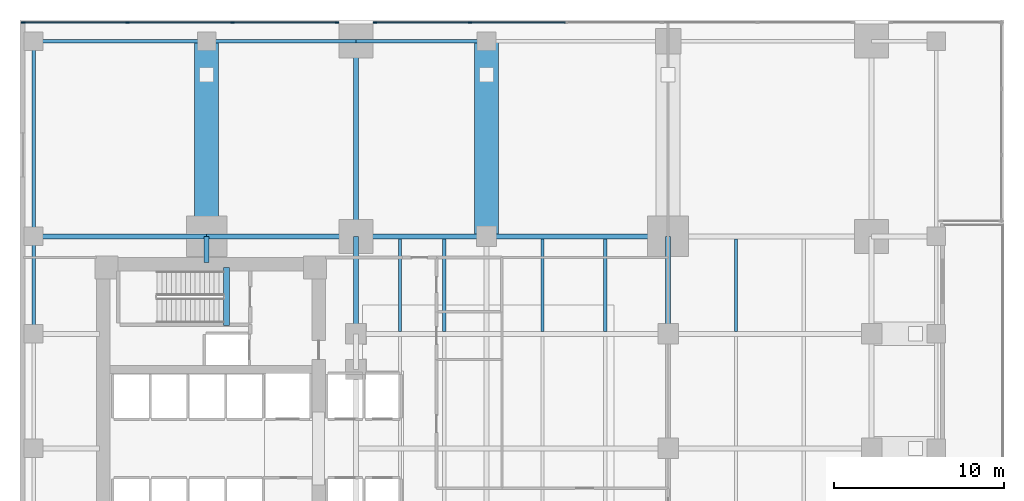
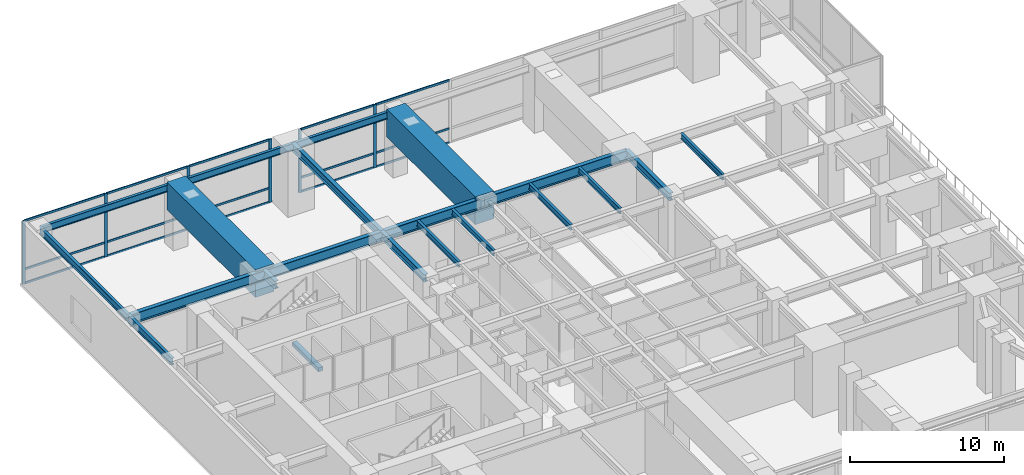
# One storey, part 5 of 14: 21 beams, 21 members, 2 elements without a shape of their own.
"""IFC4 building model written with IfcOpenShell, lengths in metres."""

from ifc_helpers import new_model, si_unit, direction, frame, origin, origin_2d, place, context, subcontext, project, spatial, rectangle, i_section, extrude, material, layer, layer_set, material_profile, profile_set, type_object, element, aggregate, save


model = new_model("IFC4")

# Units and contexts
model_context = context("Model", 3, precision=1e-05, world=origin(), true_north=direction((0.0, 1.0)))
body_context = subcontext(model_context, "Body", "Model", "MODEL_VIEW")
ifc_project = project(units=[si_unit("LENGTHUNIT", "METRE"), si_unit("AREAUNIT", "SQUARE_METRE"), si_unit("VOLUMEUNIT", "CUBIC_METRE"), si_unit("PLANEANGLEUNIT", "RADIAN"), si_unit("MASSUNIT", "GRAM", prefix="KILO")], contexts=[model_context])

# Site, building, storey
site_placement = place(None, origin())
site = spatial("IfcSite", under=ifc_project, at=site_placement, CompositionType="ELEMENT")
building_placement = place(site_placement, origin())
building = spatial("IfcBuilding", under=site, at=building_placement, Name="Kinhvarn Gate Tower", CompositionType="ELEMENT")
storey_placement = place(building_placement, frame((0.0, 0.0, 20.39990234375)))
storey = spatial("IfcBuildingStorey", under=building, at=storey_placement, Name="L04", CompositionType="ELEMENT", Elevation=20.39990234375)

# Beams
ifc_material_1 = material(Name="Concrete C50/60", Category="concrete")
ifc_material_profile_1 = material_profile(ifc_material_1, rectangle(XDim=0.340087890625, YDim=0.320068359375, at=origin_2d()), Name="RC 340x320")
ifc_profile_set_1 = profile_set([ifc_material_profile_1], Name="Concrete C50/60")
beam_type_1 = type_object("IfcBeamType", Name="BM-LND-500", PredefinedType="BEAM", material=ifc_profile_set_1)
beam_1_placement = place(storey_placement, frame((12.1650390625, 32.5, -0.159912109375), z_axis=(0.0, 1.0, 0.0), x_axis=(-1.0, 0.0, 0.0)))
element("IfcBeam", 1, at=beam_1_placement, inside=storey, type_object=beam_type_1, Name="Stair ST2 Landing Nosing Beam (L04)", PredefinedType="BEAM", context=body_context, shape_type="SweptSolid", body=[
    extrude(rectangle(XDim=0.340087890625, YDim=0.320068359375, at=origin_2d()), origin(), (0.0, 0.0, 1.0), 3.39990234375),
])
ifc_material_2 = material(Name="Concrete C60/75", Category="concrete")
ifc_material_profile_2 = material_profile(ifc_material_2, rectangle(XDim=1.39990234375, YDim=2.199951171875, at=origin_2d()), Name="RC 1400x2200")
ifc_profile_set_2 = profile_set([ifc_material_profile_2], Name="Concrete C60/75")
beam_type_2 = type_object("IfcBeamType", Name="BM-TG-2200", PredefinedType="BEAM", material=ifc_profile_set_2)
for number, where, z_axis, x_axis, name in (
    (2, (11.0, 37.75, 4.10009765625), (0.0, 1.0, 0.0), (-1.0, 0.0, 0.0), "Setback Transfer Girder TG-02-L05-CN-0"),
    (3, (27.5, 37.75, 4.10009765625), (0.0, 1.0, 0.0), (-1.0, 0.0, 0.0), "Setback Transfer Girder TG-02-L05-CN-1"),
):
    element("IfcBeam", number, at=place(storey_placement, frame(where, z_axis=z_axis, x_axis=x_axis)), inside=storey, type_object=beam_type_2, Name=name, PredefinedType="BEAM", context=body_context, shape_type="SweptSolid", body=[
        extrude(rectangle(XDim=1.39990234375, YDim=2.199951171875, at=origin_2d()), origin(), (0.0, 0.0, 1.0), 11.5),
    ])

# Curtain wall, members
ifc_material_3 = material(Name="Anodised aluminium AW-6063", Category="aluminium")
ifc_layer = layer(ifc_material_3, 0.219970703125)
ifc_layer_set = layer_set([ifc_layer], Name="Anodised aluminium AW-6063")
curtain_wall_type = type_object("IfcCurtainWallType", Name="CW-SYS-1", PredefinedType="NOTDEFINED", material=ifc_layer_set)
curtain_wall_1_placement = place(storey_placement, origin())
curtain_wall_1 = element("IfcCurtainWall", 4, at=curtain_wall_1_placement, inside=storey, type_object=curtain_wall_type, Name="Curtain Wall CW1 (L04)", PredefinedType="NOTDEFINED")
ifc_material_profile_3 = material_profile(ifc_material_3, rectangle(XDim=0.080078125, YDim=0.219970703125, at=origin_2d()), Name="ALU 80x220")
ifc_profile_set_3 = profile_set([ifc_material_profile_3], Name="Anodised aluminium AW-6063")
member_type_1 = type_object("IfcMemberType", Name="CW-MUL-220", PredefinedType="MULLION", material=ifc_profile_set_3)
member_1_placement = place(storey_placement, frame((26.528076171875, 50.35009765625, 0.0), z_axis=(0.0, 0.0, 1.0), x_axis=(0.0, -1.0, 0.0)))
member_1 = element("IfcMember", 5, at=member_1_placement, type_object=member_type_1, Name="CW1 mullion 5", PredefinedType="MULLION", context=body_context, shape_type="SweptSolid", body=[
    extrude(rectangle(XDim=0.080078125, YDim=0.219970703125, at=origin_2d()), origin(), (0.0, 0.0, 1.0), 5.02001953125),
])
member_2_placement = place(storey_placement, frame((20.919921875, 50.35009765625, 0.0), z_axis=(0.0, 0.0, 1.0), x_axis=(0.0, -1.0, 0.0)))
member_2 = element("IfcMember", 6, at=member_2_placement, type_object=member_type_1, Name="CW1 mullion 6", PredefinedType="MULLION", context=body_context, shape_type="SweptSolid", body=[
    extrude(rectangle(XDim=0.080078125, YDim=0.219970703125, at=origin_2d()), origin(), (0.0, 0.0, 1.0), 5.02001953125),
])

curtain_wall_2_placement = place(storey_placement, origin())
curtain_wall_2 = element("IfcCurtainWall", 7, at=curtain_wall_2_placement, inside=storey, type_object=curtain_wall_type, Name="Curtain Wall CW1 (L04)", PredefinedType="NOTDEFINED")
member_3_placement = place(storey_placement, frame((18.679931640625, 50.35009765625, 0.0), z_axis=(0.0, 0.0, 1.0), x_axis=(0.0, -1.0, 0.0)))
member_3 = element("IfcMember", 8, at=member_3_placement, type_object=member_type_1, Name="CW1 mullion 1", PredefinedType="MULLION", context=body_context, shape_type="SweptSolid", body=[
    extrude(rectangle(XDim=0.080078125, YDim=0.219970703125, at=origin_2d()), origin(), (0.0, 0.0, 1.0), 5.02001953125),
])
member_4_placement = place(storey_placement, frame((12.530029296875, 50.35009765625, 0.0), z_axis=(0.0, 0.0, 1.0), x_axis=(0.0, -1.0, 0.0)))
member_4 = element("IfcMember", 9, at=member_4_placement, type_object=member_type_1, Name="CW1 mullion 2", PredefinedType="MULLION", context=body_context, shape_type="SweptSolid", body=[
    extrude(rectangle(XDim=0.080078125, YDim=0.219970703125, at=origin_2d()), origin(), (0.0, 0.0, 1.0), 5.02001953125),
])
member_5_placement = place(storey_placement, frame((6.340087890625, 50.35009765625, 0.0), z_axis=(0.0, 0.0, 1.0), x_axis=(0.0, -1.0, 0.0)))
member_5 = element("IfcMember", 10, at=member_5_placement, type_object=member_type_1, Name="CW1 mullion 3", PredefinedType="MULLION", context=body_context, shape_type="SweptSolid", body=[
    extrude(rectangle(XDim=0.080078125, YDim=0.219970703125, at=origin_2d()), origin(), (0.0, 0.0, 1.0), 5.02001953125),
])
member_6_placement = place(storey_placement, frame((0.18994140625, 50.35009765625, 0.0), z_axis=(0.0, 0.0, 1.0), x_axis=(0.0, -1.0, 0.0)))
member_6 = element("IfcMember", 11, at=member_6_placement, type_object=member_type_1, Name="CW1 mullion 4", PredefinedType="MULLION", context=body_context, shape_type="SweptSolid", body=[
    extrude(rectangle(XDim=0.080078125, YDim=0.219970703125, at=origin_2d()), origin(), (0.0, 0.0, 1.0), 5.02001953125),
])

# Member
ifc_material_profile_4 = material_profile(ifc_material_3, rectangle(XDim=0.080078125, YDim=0.159912109375, at=origin_2d()), Name="ALU 80x160")
ifc_profile_set_4 = profile_set([ifc_material_profile_4], Name="Anodised aluminium AW-6063")
member_type_2 = type_object("IfcMemberType", Name="CW-TRN-160", PredefinedType="USERDEFINED", material=ifc_profile_set_4)
member_7_placement = place(storey_placement, frame((32.135986328125, 50.35009765625, 0.0400390625), z_axis=(-1.0, 0.0, 0.0), x_axis=(0.0, -1.0, 0.0)))
member_7 = element("IfcMember", 12, at=member_7_placement, type_object=member_type_2, Name="CW1 transom 4.1", ObjectType="TRANSOM", PredefinedType="USERDEFINED", context=body_context, shape_type="SweptSolid", body=[
    extrude(rectangle(XDim=0.080078125, YDim=0.159912109375, at=origin_2d()), origin(), (0.0, 0.0, 1.0), 5.56787109375),
])

member_8_placement = place(storey_placement, frame((32.135986328125, 50.35009765625, 1.150146484375), z_axis=(-1.0, 0.0, 0.0), x_axis=(0.0, -1.0, 0.0)))
member_8 = element("IfcMember", 13, at=member_8_placement, type_object=member_type_2, Name="CW1 transom 4.2", ObjectType="TRANSOM", PredefinedType="USERDEFINED", context=body_context, shape_type="SweptSolid", body=[
    extrude(rectangle(XDim=0.080078125, YDim=0.159912109375, at=origin_2d()), origin(), (0.0, 0.0, 1.0), 5.56787109375),
])

member_9_placement = place(storey_placement, frame((32.135986328125, 50.35009765625, 4.97998046875), z_axis=(-1.0, 0.0, 0.0), x_axis=(0.0, -1.0, 0.0)))
member_9 = element("IfcMember", 14, at=member_9_placement, type_object=member_type_2, Name="CW1 transom 4.3", ObjectType="TRANSOM", PredefinedType="USERDEFINED", context=body_context, shape_type="SweptSolid", body=[
    extrude(rectangle(XDim=0.080078125, YDim=0.159912109375, at=origin_2d()), origin(), (0.0, 0.0, 1.0), 5.56787109375),
])

member_10_placement = place(storey_placement, frame((26.488037109375, 50.35009765625, 0.0400390625), z_axis=(-1.0, 0.0, 0.0), x_axis=(0.0, -1.0, 0.0)))
member_10 = element("IfcMember", 15, at=member_10_placement, type_object=member_type_2, Name="CW1 transom 5.1", ObjectType="TRANSOM", PredefinedType="USERDEFINED", context=body_context, shape_type="SweptSolid", body=[
    extrude(rectangle(XDim=0.080078125, YDim=0.159912109375, at=origin_2d()), origin(), (0.0, 0.0, 1.0), 5.528076171875),
])

member_11_placement = place(storey_placement, frame((26.488037109375, 50.35009765625, 1.150146484375), z_axis=(-1.0, 0.0, 0.0), x_axis=(0.0, -1.0, 0.0)))
member_11 = element("IfcMember", 16, at=member_11_placement, type_object=member_type_2, Name="CW1 transom 5.2", ObjectType="TRANSOM", PredefinedType="USERDEFINED", context=body_context, shape_type="SweptSolid", body=[
    extrude(rectangle(XDim=0.080078125, YDim=0.159912109375, at=origin_2d()), origin(), (0.0, 0.0, 1.0), 5.528076171875),
])

member_12_placement = place(storey_placement, frame((26.488037109375, 50.35009765625, 4.97998046875), z_axis=(-1.0, 0.0, 0.0), x_axis=(0.0, -1.0, 0.0)))
member_12 = element("IfcMember", 17, at=member_12_placement, type_object=member_type_2, Name="CW1 transom 5.3", ObjectType="TRANSOM", PredefinedType="USERDEFINED", context=body_context, shape_type="SweptSolid", body=[
    extrude(rectangle(XDim=0.080078125, YDim=0.159912109375, at=origin_2d()), origin(), (0.0, 0.0, 1.0), 5.528076171875),
])

aggregate(curtain_wall_1, [member_1, member_2, member_7, member_8, member_9, member_10, member_11, member_12])

member_13_placement = place(storey_placement, frame((18.639892578125, 50.35009765625, 0.0400390625), z_axis=(-1.0, 0.0, 0.0), x_axis=(0.0, -1.0, 0.0)))
member_13 = element("IfcMember", 18, at=member_13_placement, type_object=member_type_2, Name="CW1 transom 1.1", ObjectType="TRANSOM", PredefinedType="USERDEFINED", context=body_context, shape_type="SweptSolid", body=[
    extrude(rectangle(XDim=0.080078125, YDim=0.159912109375, at=origin_2d()), origin(), (0.0, 0.0, 1.0), 6.06982421875),
])

member_14_placement = place(storey_placement, frame((18.639892578125, 50.35009765625, 1.150146484375), z_axis=(-1.0, 0.0, 0.0), x_axis=(0.0, -1.0, 0.0)))
member_14 = element("IfcMember", 19, at=member_14_placement, type_object=member_type_2, Name="CW1 transom 1.2", ObjectType="TRANSOM", PredefinedType="USERDEFINED", context=body_context, shape_type="SweptSolid", body=[
    extrude(rectangle(XDim=0.080078125, YDim=0.159912109375, at=origin_2d()), origin(), (0.0, 0.0, 1.0), 6.06982421875),
])

member_15_placement = place(storey_placement, frame((18.639892578125, 50.35009765625, 4.97998046875), z_axis=(-1.0, 0.0, 0.0), x_axis=(0.0, -1.0, 0.0)))
member_15 = element("IfcMember", 20, at=member_15_placement, type_object=member_type_2, Name="CW1 transom 1.3", ObjectType="TRANSOM", PredefinedType="USERDEFINED", context=body_context, shape_type="SweptSolid", body=[
    extrude(rectangle(XDim=0.080078125, YDim=0.159912109375, at=origin_2d()), origin(), (0.0, 0.0, 1.0), 6.06982421875),
])

member_16_placement = place(storey_placement, frame((12.489990234375, 50.35009765625, 0.0400390625), z_axis=(-1.0, 0.0, 0.0), x_axis=(0.0, -1.0, 0.0)))
member_16 = element("IfcMember", 21, at=member_16_placement, type_object=member_type_2, Name="CW1 transom 2.1", ObjectType="TRANSOM", PredefinedType="USERDEFINED", context=body_context, shape_type="SweptSolid", body=[
    extrude(rectangle(XDim=0.080078125, YDim=0.159912109375, at=origin_2d()), origin(), (0.0, 0.0, 1.0), 6.110107421875),
])

member_17_placement = place(storey_placement, frame((12.489990234375, 50.35009765625, 1.150146484375), z_axis=(-1.0, 0.0, 0.0), x_axis=(0.0, -1.0, 0.0)))
member_17 = element("IfcMember", 22, at=member_17_placement, type_object=member_type_2, Name="CW1 transom 2.2", ObjectType="TRANSOM", PredefinedType="USERDEFINED", context=body_context, shape_type="SweptSolid", body=[
    extrude(rectangle(XDim=0.080078125, YDim=0.159912109375, at=origin_2d()), origin(), (0.0, 0.0, 1.0), 6.110107421875),
])

member_18_placement = place(storey_placement, frame((12.489990234375, 50.35009765625, 4.97998046875), z_axis=(-1.0, 0.0, 0.0), x_axis=(0.0, -1.0, 0.0)))
member_18 = element("IfcMember", 23, at=member_18_placement, type_object=member_type_2, Name="CW1 transom 2.3", ObjectType="TRANSOM", PredefinedType="USERDEFINED", context=body_context, shape_type="SweptSolid", body=[
    extrude(rectangle(XDim=0.080078125, YDim=0.159912109375, at=origin_2d()), origin(), (0.0, 0.0, 1.0), 6.110107421875),
])

member_19_placement = place(storey_placement, frame((6.300048828125, 50.35009765625, 0.0400390625), z_axis=(-1.0, 0.0, 0.0), x_axis=(0.0, -1.0, 0.0)))
member_19 = element("IfcMember", 24, at=member_19_placement, type_object=member_type_2, Name="CW1 transom 3.1", ObjectType="TRANSOM", PredefinedType="USERDEFINED", context=body_context, shape_type="SweptSolid", body=[
    extrude(rectangle(XDim=0.080078125, YDim=0.159912109375, at=origin_2d()), origin(), (0.0, 0.0, 1.0), 6.070068359375),
])

member_20_placement = place(storey_placement, frame((6.300048828125, 50.35009765625, 1.150146484375), z_axis=(-1.0, 0.0, 0.0), x_axis=(0.0, -1.0, 0.0)))
member_20 = element("IfcMember", 25, at=member_20_placement, type_object=member_type_2, Name="CW1 transom 3.2", ObjectType="TRANSOM", PredefinedType="USERDEFINED", context=body_context, shape_type="SweptSolid", body=[
    extrude(rectangle(XDim=0.080078125, YDim=0.159912109375, at=origin_2d()), origin(), (0.0, 0.0, 1.0), 6.070068359375),
])

member_21_placement = place(storey_placement, frame((6.300048828125, 50.35009765625, 4.97998046875), z_axis=(-1.0, 0.0, 0.0), x_axis=(0.0, -1.0, 0.0)))
member_21 = element("IfcMember", 26, at=member_21_placement, type_object=member_type_2, Name="CW1 transom 3.3", ObjectType="TRANSOM", PredefinedType="USERDEFINED", context=body_context, shape_type="SweptSolid", body=[
    extrude(rectangle(XDim=0.080078125, YDim=0.159912109375, at=origin_2d()), origin(), (0.0, 0.0, 1.0), 6.070068359375),
])

aggregate(curtain_wall_2, [member_3, member_4, member_5, member_6, member_13, member_14, member_15, member_16, member_17, member_18, member_19, member_20, member_21])

# Beams
ifc_material_4 = material(Name="Steel S355", Category="steel")
ifc_material_profile_5 = material_profile(ifc_material_4, i_section(OverallWidth=0.300048828125, OverallDepth=0.60009765625, WebThickness=0.015380859375, FlangeThickness=0.030029296875, at=origin_2d()), Name="HEB 600")
ifc_profile_set_5 = profile_set([ifc_material_profile_5], Name="Steel S355")
beam_type_3 = type_object("IfcBeamType", Name="STL-HEB600", PredefinedType="BEAM", material=ifc_profile_set_5)
beam_2_placement = place(storey_placement, frame((11.0, 36.199951171875, 4.72021484375), z_axis=(0.0, 1.0, 0.0), x_axis=(-1.0, 0.0, 0.0)))
element("IfcBeam", 27, at=beam_2_placement, inside=storey, type_object=beam_type_3, Name="Floor Beam PG-16 (L04 NS11-CN)", PredefinedType="BEAM", context=body_context, shape_type="SweptSolid", body=[
    extrude(i_section(OverallWidth=0.300048828125, OverallDepth=0.60009765625, WebThickness=0.015380859375, FlangeThickness=0.030029296875, at=origin_2d()), origin(), (0.0, 0.0, 1.0), 1.550048828125),
])
beam_3_placement = place(storey_placement, frame((19.800048828125, 32.0, 4.72021484375), z_axis=(0.0, 1.0, 0.0), x_axis=(-1.0, 0.0, 0.0)))
element("IfcBeam", 28, at=beam_3_placement, inside=storey, type_object=beam_type_3, Name="Floor Beam PG-16 (L04 APW-6)", PredefinedType="BEAM", context=body_context, shape_type="SweptSolid", body=[
    extrude(i_section(OverallWidth=0.300048828125, OverallDepth=0.60009765625, WebThickness=0.015380859375, FlangeThickness=0.030029296875, at=origin_2d()), origin(), (0.0, 0.0, 1.0), 5.75),
])
beam_4_placement = place(storey_placement, frame((19.800048828125, 37.75, 4.72021484375), z_axis=(0.0, 1.0, 0.0), x_axis=(-1.0, 0.0, 0.0)))
element("IfcBeam", 29, at=beam_4_placement, inside=storey, type_object=beam_type_3, Name="Floor Beam PG-16 (L04 APW-7)", PredefinedType="BEAM", context=body_context, shape_type="SweptSolid", body=[
    extrude(i_section(OverallWidth=0.300048828125, OverallDepth=0.60009765625, WebThickness=0.015380859375, FlangeThickness=0.030029296875, at=origin_2d()), origin(), (0.0, 0.0, 1.0), 11.5),
])
beam_5_placement = place(storey_placement, frame((38.199951171875, 32.0, 4.72021484375), z_axis=(0.0, 1.0, 0.0), x_axis=(-1.0, 0.0, 0.0)))
element("IfcBeam", 30, at=beam_5_placement, inside=storey, type_object=beam_type_3, Name="Floor Beam PG-16 (L04 NS38-32)", PredefinedType="BEAM", context=body_context, shape_type="SweptSolid", body=[
    extrude(i_section(OverallWidth=0.300048828125, OverallDepth=0.60009765625, WebThickness=0.015380859375, FlangeThickness=0.030029296875, at=origin_2d()), origin(), (0.0, 0.0, 1.0), 5.75),
])
ifc_material_profile_6 = material_profile(ifc_material_4, i_section(OverallWidth=0.300048828125, OverallDepth=0.800048828125, WebThickness=0.017578125, FlangeThickness=0.032958984375, at=origin_2d()), Name="HEB 800")
ifc_profile_set_6 = profile_set([ifc_material_profile_6], Name="Steel S355")
beam_type_4 = type_object("IfcBeamType", Name="STL-HEB800", PredefinedType="BEAM", material=ifc_profile_set_6)
beam_6_placement = place(storey_placement, frame((0.800048828125, 37.75, 4.6201171875), z_axis=(1.0, 0.0, 0.0), x_axis=(0.0, 1.0, 0.0)))
element("IfcBeam", 31, at=beam_6_placement, inside=storey, type_object=beam_type_4, Name="Floor Beam PG-19 (L04 SPN-1)", PredefinedType="BEAM", context=body_context, shape_type="SweptSolid", body=[
    extrude(i_section(OverallWidth=0.300048828125, OverallDepth=0.800048828125, WebThickness=0.017578125, FlangeThickness=0.032958984375, at=origin_2d()), origin(), (0.0, 0.0, 1.0), 10.199951171875),
])
beam_7_placement = place(storey_placement, frame((11.0, 37.75, 4.6201171875), z_axis=(1.0, 0.0, 0.0), x_axis=(0.0, 1.0, 0.0)))
element("IfcBeam", 32, at=beam_7_placement, inside=storey, type_object=beam_type_4, Name="Floor Beam PG-19 (L04 SPN-2)", PredefinedType="BEAM", context=body_context, shape_type="SweptSolid", body=[
    extrude(i_section(OverallWidth=0.300048828125, OverallDepth=0.800048828125, WebThickness=0.017578125, FlangeThickness=0.032958984375, at=origin_2d()), origin(), (0.0, 0.0, 1.0), 8.800048828125),
])
beam_8_placement = place(storey_placement, frame((19.800048828125, 37.75, 4.6201171875), z_axis=(1.0, 0.0, 0.0), x_axis=(0.0, 1.0, 0.0)))
element("IfcBeam", 33, at=beam_8_placement, inside=storey, type_object=beam_type_4, Name="Floor Beam PG-19 (L04 BM-N1)", PredefinedType="BEAM", context=body_context, shape_type="SweptSolid", body=[
    extrude(i_section(OverallWidth=0.300048828125, OverallDepth=0.800048828125, WebThickness=0.017578125, FlangeThickness=0.032958984375, at=origin_2d()), origin(), (0.0, 0.0, 1.0), 7.699951171875),
])
beam_9_placement = place(storey_placement, frame((27.5, 37.75, 4.6201171875), z_axis=(1.0, 0.0, 0.0), x_axis=(0.0, 1.0, 0.0)))
element("IfcBeam", 34, at=beam_9_placement, inside=storey, type_object=beam_type_4, Name="Floor Beam PG-19 (L04 BM-N2)", PredefinedType="BEAM", context=body_context, shape_type="SweptSolid", body=[
    extrude(i_section(OverallWidth=0.300048828125, OverallDepth=0.800048828125, WebThickness=0.017578125, FlangeThickness=0.032958984375, at=origin_2d()), origin(), (0.0, 0.0, 1.0), 10.699951171875),
])
ifc_material_profile_7 = material_profile(ifc_material_4, i_section(OverallWidth=0.18994140625, OverallDepth=0.449951171875, WebThickness=0.009521484375, FlangeThickness=0.0146484375, at=origin_2d()), Name="IPE 450")
ifc_profile_set_7 = profile_set([ifc_material_profile_7], Name="Steel S355")
beam_type_5 = type_object("IfcBeamType", Name="STL-IPE450", PredefinedType="JOIST", material=ifc_profile_set_7)
for number, where, z_axis, x_axis, name in (
    (35, (22.39990234375, 32.14990234375, 4.795166015625), (0.0, 1.0, 0.0), (-1.0, 0.0, 0.0), "Floor Joist SB-06 (L04 J224-32)"),
    (36, (25.0, 32.14990234375, 4.795166015625), (0.0, 1.0, 0.0), (-1.0, 0.0, 0.0), "Floor Joist SB-06 (L04 J250-32)"),
    (37, (30.800048828125, 32.14990234375, 4.795166015625), (0.0, 1.0, 0.0), (-1.0, 0.0, 0.0), "Floor Joist SB-06 (L04 J308-32)"),
    (38, (34.5, 32.14990234375, 4.795166015625), (0.0, 1.0, 0.0), (-1.0, 0.0, 0.0), "Floor Joist SB-06 (L04 J345-32)"),
    (39, (42.199951171875, 32.14990234375, 4.795166015625), (0.0, 1.0, 0.0), (-1.0, 0.0, 0.0), "Floor Joist SB-06 (L04 J422-32)"),
):
    element("IfcBeam", number, at=place(storey_placement, frame(where, z_axis=z_axis, x_axis=x_axis)), inside=storey, type_object=beam_type_5, Name=name, PredefinedType="JOIST", context=body_context, shape_type="SweptSolid", body=[
        extrude(i_section(OverallWidth=0.18994140625, OverallDepth=0.449951171875, WebThickness=0.009521484375, FlangeThickness=0.0146484375, at=origin_2d()), origin(), (0.0, 0.0, 1.0), 5.4501953125),
    ])
ifc_material_profile_8 = material_profile(ifc_material_4, i_section(OverallWidth=0.2099609375, OverallDepth=0.550048828125, WebThickness=0.010986328125, FlangeThickness=0.01708984375, at=origin_2d()), Name="IPE 550")
ifc_profile_set_8 = profile_set([ifc_material_profile_8], Name="Steel S355")
beam_type_6 = type_object("IfcBeamType", Name="STL-IPE550", PredefinedType="SPANDREL", material=ifc_profile_set_8)
beam_10_placement = place(storey_placement, frame((0.800048828125, 32.0, 4.7451171875), z_axis=(0.0, 1.0, 0.0), x_axis=(-1.0, 0.0, 0.0)))
element("IfcBeam", 40, at=beam_10_placement, inside=storey, type_object=beam_type_6, Name="Floor Spandrel SB-08 (L04 PERW-5)", PredefinedType="SPANDREL", context=body_context, shape_type="SweptSolid", body=[
    extrude(i_section(OverallWidth=0.2099609375, OverallDepth=0.550048828125, WebThickness=0.010986328125, FlangeThickness=0.01708984375, at=origin_2d()), origin(), (0.0, 0.0, 1.0), 5.75),
])
beam_11_placement = place(storey_placement, frame((0.800048828125, 37.75, 4.7451171875), z_axis=(0.0, 1.0, 0.0), x_axis=(-1.0, 0.0, 0.0)))
element("IfcBeam", 41, at=beam_11_placement, inside=storey, type_object=beam_type_6, Name="Floor Spandrel SB-08 (L04 PERW-6)", PredefinedType="SPANDREL", context=body_context, shape_type="SweptSolid", body=[
    extrude(i_section(OverallWidth=0.2099609375, OverallDepth=0.550048828125, WebThickness=0.010986328125, FlangeThickness=0.01708984375, at=origin_2d()), origin(), (0.0, 0.0, 1.0), 11.5),
])
beam_12_placement = place(storey_placement, frame((0.800048828125, 49.25, 4.7451171875), z_axis=(1.0, 0.0, 0.0), x_axis=(0.0, 1.0, 0.0)))
element("IfcBeam", 42, at=beam_12_placement, inside=storey, type_object=beam_type_6, Name="Floor Spandrel SB-08 (L04 SP-POD-NW1)", PredefinedType="SPANDREL", context=body_context, shape_type="SweptSolid", body=[
    extrude(i_section(OverallWidth=0.2099609375, OverallDepth=0.550048828125, WebThickness=0.010986328125, FlangeThickness=0.01708984375, at=origin_2d()), origin(), (0.0, 0.0, 1.0), 10.199951171875),
])
beam_13_placement = place(storey_placement, frame((11.0, 49.25, 4.7451171875), z_axis=(1.0, 0.0, 0.0), x_axis=(0.0, 1.0, 0.0)))
element("IfcBeam", 43, at=beam_13_placement, inside=storey, type_object=beam_type_6, Name="Floor Spandrel SB-08 (L04 SP-POD-NW2)", PredefinedType="SPANDREL", context=body_context, shape_type="SweptSolid", body=[
    extrude(i_section(OverallWidth=0.2099609375, OverallDepth=0.550048828125, WebThickness=0.010986328125, FlangeThickness=0.01708984375, at=origin_2d()), origin(), (0.0, 0.0, 1.0), 8.800048828125),
])
beam_14_placement = place(storey_placement, frame((19.800048828125, 49.25, 4.7451171875), z_axis=(1.0, 0.0, 0.0), x_axis=(0.0, 1.0, 0.0)))
element("IfcBeam", 44, at=beam_14_placement, inside=storey, type_object=beam_type_6, Name="Floor Spandrel SB-08 (L04 BN-SP1)", PredefinedType="SPANDREL", context=body_context, shape_type="SweptSolid", body=[
    extrude(i_section(OverallWidth=0.2099609375, OverallDepth=0.550048828125, WebThickness=0.010986328125, FlangeThickness=0.01708984375, at=origin_2d()), origin(), (0.0, 0.0, 1.0), 7.699951171875),
])

save(model, "model.ifc")
